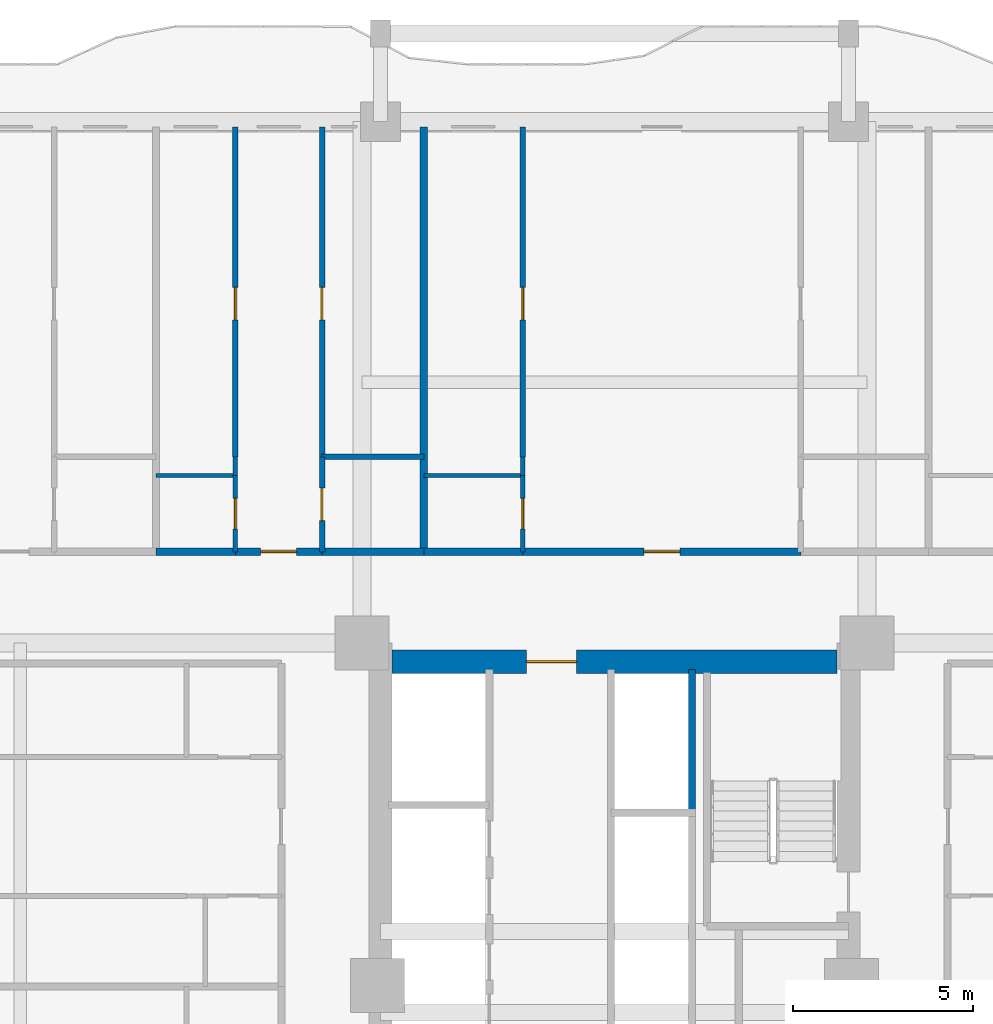
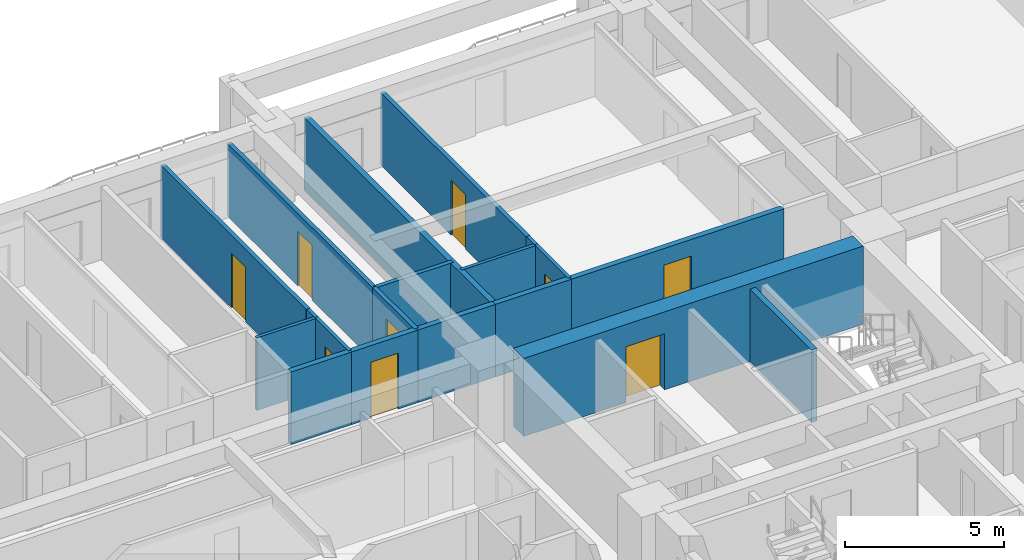
# One storey, part 18 of 27: 19 walls, 9 doors, 9 openings.
"""IFC4 building model written with IfcOpenShell, lengths in metres."""

from ifc_helpers import new_model, si_unit, direction, frame, frame_2d, origin, place, context, subcontext, project, spatial, rectangle, extrude, source, transform, mapped, material, layer, layer_set, type_object, element, fill, save


model = new_model("IFC4")

# Units and contexts
model_context = context("Model", 3, precision=1e-05, world=origin(), true_north=direction((0.0, 1.0)))
body_context = subcontext(model_context, "Body", "Model", "MODEL_VIEW")
ifc_project = project(units=[si_unit("LENGTHUNIT", "METRE"), si_unit("AREAUNIT", "SQUARE_METRE"), si_unit("VOLUMEUNIT", "CUBIC_METRE"), si_unit("PLANEANGLEUNIT", "RADIAN"), si_unit("MASSUNIT", "GRAM", prefix="KILO")], contexts=[model_context])

# Site, building, storey
site_placement = place(None, origin())
site = spatial("IfcSite", under=ifc_project, at=site_placement, CompositionType="ELEMENT")
building_placement = place(site_placement, origin())
building = spatial("IfcBuilding", under=site, at=building_placement, Name="Saelheon Loggia Tower", CompositionType="ELEMENT")
storey_placement = place(building_placement, frame((0.0, 0.0, 52.39990234375)))
storey = spatial("IfcBuildingStorey", under=building, at=storey_placement, Name="L16", CompositionType="ELEMENT", Elevation=52.39990234375)

# Wall, opening, door
ifc_material_1 = material(Name="Concrete C60/75", Category="concrete")
ifc_layer_1 = layer(ifc_material_1, 0.64990234375)
ifc_layer_set_1 = layer_set([ifc_layer_1], Name="Concrete C60/75")
wall_type_1 = type_object("IfcWallType", Name="Wall_CoreShear_650", PredefinedType="SHEAR", material=ifc_layer_set_1)
wall_1_placement = place(storey_placement, frame((31.824951171875, 36.0, 0.0), z_axis=(0.0, 0.0, 1.0), x_axis=(1.0, 0.0, 0.0)))
wall_1 = element("IfcWall", 1, at=wall_1_placement, inside=storey, type_object=wall_type_1, Name="L16 Core Shear Wall North", PredefinedType="SHEAR", context=body_context, shape_type="SweptSolid", body=[
    extrude(rectangle(XDim=12.35009765625, YDim=0.64990234375, at=frame_2d((6.175048828125, 0.0))), origin(), (0.0, 0.0, 1.0), 3.0),
])
opening_1_placement = place(wall_1_placement, frame((5.125, 0.0, 0.0), z_axis=(0.0, 0.0, 1.0), x_axis=(-1.0, 0.0, 0.0)))
opening_1 = element("IfcOpeningElement", 2, at=opening_1_placement, cuts=wall_1, Name="Opening D-FD2L", PredefinedType="OPENING", context=body_context, shape_type="SweptSolid", body=[
    extrude(rectangle(XDim=1.39990234375, YDim=2.14990234375, at=frame_2d((0.699951171875, 1.074951171875))), frame((0.0, 0.3369140625, 0.0), z_axis=(0.0, -1.0, 0.0), x_axis=(1.0, 0.0, 0.0)), (0.0, 0.0, 1.0), 0.673828125),
])
ifc_material_2 = material(Name="Galvanised Steel Glazed Lobby Fire Door", Category="steel")
door_type_1 = type_object("IfcDoorType", Name="Door_Fire_FD60_1400", OperationType="NOTDEFINED", PredefinedType="DOOR", material=ifc_material_2)
shared_shape_1 = source(origin(), body_context, "Body", "SweptSolid", [
    extrude(rectangle(XDim=1.39990234375, YDim=2.14990234375, at=frame_2d((0.699951171875, 1.074951171875))), frame((0.0, 0.02490234375, 0.0), z_axis=(0.0, -1.0, 0.0), x_axis=(1.0, 0.0, 0.0)), (0.0, 0.0, 1.0), 0.050048828125),
])
door_1_placement = place(opening_1_placement, origin())
door_1 = element("IfcDoor", 3, at=door_1_placement, inside=storey, type_object=door_type_1, Name="L16 Passenger Lift Lobby Main Door", OperationType="SINGLE_SWING_RIGHT", OverallHeight=2.14990234375, OverallWidth=1.39990234375, PredefinedType="DOOR", context=body_context, shape_type="MappedRepresentation", body=[
    mapped(shared_shape_1, transform((0.0, 0.0, 0.0), scale=1.0)),
])
fill(opening_1, door_1)

# Wall
ifc_material_3 = material(Name="Lightweight Autoclaved Aerated Concrete Block and Acoustic Gypsum", Category="concrete")
ifc_layer_2 = layer(ifc_material_3, 0.14990234375)
ifc_layer_set_2 = layer_set([ifc_layer_2], Name="Lightweight Autoclaved Aerated Concrete Block and Acoustic Gypsum")
wall_type_2 = type_object("IfcWallType", Name="Wall_Part_150", PredefinedType="PARTITIONING", material=ifc_layer_set_2)
wall_2_placement = place(storey_placement, frame((29.8759765625, 41.68994140625, 0.0), z_axis=(0.0, 0.0, 1.0), x_axis=(1.0, 0.0, 0.0)))
element("IfcWall", 4, at=wall_2_placement, inside=storey, type_object=wall_type_2, Name="L16 N Partition V20", PredefinedType="PARTITIONING", context=body_context, shape_type="SweptSolid", body=[
    extrude(rectangle(XDim=2.825439453125, YDim=0.14990234375, at=frame_2d((1.41259765625, 0.0))), origin(), (0.0, 0.0, 1.0), 2.7900390625),
])

# Wall, opening, door
wall_3_placement = place(storey_placement, frame((27.4658203125, 41.68994140625, 0.0), z_axis=(0.0, 0.0, 1.0), x_axis=(0.0, 1.0, 0.0)))
wall_3 = element("IfcWall", 5, at=wall_3_placement, inside=storey, type_object=wall_type_2, Name="L16 N Partition U23", PredefinedType="PARTITIONING", context=body_context, shape_type="SweptSolid", body=[
    extrude(rectangle(XDim=9.16015625, YDim=0.14990234375, at=frame_2d((4.580078125, 0.0))), origin(), (0.0, 0.0, 1.0), 2.7900390625),
])
opening_2_placement = place(wall_3_placement, frame((3.805908203125, 0.0, 0.0)))
opening_2 = element("IfcOpeningElement", 6, at=opening_2_placement, cuts=wall_3, Name="Opening D-IN2", PredefinedType="OPENING", context=body_context, shape_type="SweptSolid", body=[
    extrude(rectangle(XDim=0.89990234375, YDim=2.10009765625, at=frame_2d((0.449951171875, 1.050048828125))), frame((0.0, 0.0869140625, 0.0), z_axis=(0.0, -1.0, 0.0), x_axis=(1.0, 0.0, 0.0)), (0.0, 0.0, 1.0), 0.173828125),
])
ifc_material_4 = material(Name="Engineered Oak Flush Door", Category="timber")
door_type_2 = type_object("IfcDoorType", Name="Door_Int_900", OperationType="NOTDEFINED", PredefinedType="DOOR", material=ifc_material_4)
shared_shape_2 = source(origin(), body_context, "Body", "SweptSolid", [
    extrude(rectangle(XDim=0.89990234375, YDim=2.10009765625, at=frame_2d((0.449951171875, 1.050048828125))), frame((0.0, 0.02490234375, 0.0), z_axis=(0.0, -1.0, 0.0), x_axis=(1.0, 0.0, 0.0)), (0.0, 0.0, 1.0), 0.050048828125),
])
door_2_placement = place(opening_2_placement, origin())
door_2 = element("IfcDoor", 7, at=door_2_placement, inside=storey, type_object=door_type_2, Name="Unit U04 Kitchen Door", OperationType="SINGLE_SWING_LEFT", OverallHeight=2.10009765625, OverallWidth=0.89990234375, PredefinedType="DOOR", context=body_context, shape_type="MappedRepresentation", body=[
    mapped(shared_shape_2, transform((0.0, 0.0, 0.0), scale=1.0)),
])
fill(opening_2, door_2)

wall_4_placement = place(storey_placement, frame((29.8759765625, 39.050048828125, 0.0), z_axis=(0.0, 0.0, 1.0), x_axis=(0.0, 1.0, 0.0)))
wall_4 = element("IfcWall", 8, at=wall_4_placement, inside=storey, type_object=wall_type_2, Name="L16 N Partition U24", PredefinedType="PARTITIONING", context=body_context, shape_type="SweptSolid", body=[
    extrude(rectangle(XDim=2.639892578125, YDim=0.14990234375, at=frame_2d((1.31982421875, 0.0))), origin(), (0.0, 0.0, 1.0), 2.7900390625),
])
opening_3_placement = place(wall_4_placement, frame((0.8701171875, 0.0, 0.0)))
opening_3 = element("IfcOpeningElement", 9, at=opening_3_placement, cuts=wall_4, Name="Opening D-IN2", PredefinedType="OPENING", context=body_context, shape_type="SweptSolid", body=[
    extrude(rectangle(XDim=0.89990234375, YDim=2.10009765625, at=frame_2d((0.449951171875, 1.050048828125))), frame((0.0, 0.0869140625, 0.0), z_axis=(0.0, -1.0, 0.0), x_axis=(1.0, 0.0, 0.0)), (0.0, 0.0, 1.0), 0.173828125),
])
door_3_placement = place(opening_3_placement, origin())
door_3 = element("IfcDoor", 10, at=door_3_placement, inside=storey, type_object=door_type_2, Name="Unit U04 Dressing Closet Door", OperationType="SINGLE_SWING_RIGHT", OverallHeight=2.10009765625, OverallWidth=0.89990234375, PredefinedType="DOOR", context=body_context, shape_type="MappedRepresentation", body=[
    mapped(shared_shape_2, transform((0.0, 0.0, 0.0), scale=1.0)),
])
fill(opening_3, door_3)

wall_5_placement = place(storey_placement, frame((29.8759765625, 41.68994140625, 0.0), z_axis=(0.0, 0.0, 1.0), x_axis=(0.0, 1.0, 0.0)))
wall_5 = element("IfcWall", 11, at=wall_5_placement, inside=storey, type_object=wall_type_2, Name="L16 N Partition U25", PredefinedType="PARTITIONING", context=body_context, shape_type="SweptSolid", body=[
    extrude(rectangle(XDim=9.16015625, YDim=0.14990234375, at=frame_2d((4.580078125, 0.0))), origin(), (0.0, 0.0, 1.0), 2.7900390625),
])
opening_4_placement = place(wall_5_placement, frame((3.805908203125, 0.0, 0.0)))
opening_4 = element("IfcOpeningElement", 12, at=opening_4_placement, cuts=wall_5, Name="Opening D-IN2", PredefinedType="OPENING", context=body_context, shape_type="SweptSolid", body=[
    extrude(rectangle(XDim=0.89990234375, YDim=2.10009765625, at=frame_2d((0.449951171875, 1.050048828125))), frame((0.0, 0.0869140625, 0.0), z_axis=(0.0, -1.0, 0.0), x_axis=(1.0, 0.0, 0.0)), (0.0, 0.0, 1.0), 0.173828125),
])
door_4_placement = place(opening_4_placement, origin())
door_4 = element("IfcDoor", 13, at=door_4_placement, inside=storey, type_object=door_type_2, Name="Unit U04 Bedroom 1 Door", OperationType="SINGLE_SWING_LEFT", OverallHeight=2.10009765625, OverallWidth=0.89990234375, PredefinedType="DOOR", context=body_context, shape_type="MappedRepresentation", body=[
    mapped(shared_shape_2, transform((0.0, 0.0, 0.0), scale=1.0)),
])
fill(opening_4, door_4)

wall_6_placement = place(storey_placement, frame((35.451416015625, 41.68994140625, 0.0), z_axis=(0.0, 0.0, 1.0), x_axis=(0.0, 1.0, 0.0)))
wall_6 = element("IfcWall", 14, at=wall_6_placement, inside=storey, type_object=wall_type_2, Name="L16 N Partition U34", PredefinedType="PARTITIONING", context=body_context, shape_type="SweptSolid", body=[
    extrude(rectangle(XDim=9.16015625, YDim=0.14990234375, at=frame_2d((4.580078125, 0.0))), origin(), (0.0, 0.0, 1.0), 2.7900390625),
])
opening_5_placement = place(wall_6_placement, frame((3.805908203125, 0.0, 0.0)))
opening_5 = element("IfcOpeningElement", 15, at=opening_5_placement, cuts=wall_6, Name="Opening D-IN2", PredefinedType="OPENING", context=body_context, shape_type="SweptSolid", body=[
    extrude(rectangle(XDim=0.89990234375, YDim=2.10009765625, at=frame_2d((0.449951171875, 1.050048828125))), frame((0.0, 0.0869140625, 0.0), z_axis=(0.0, -1.0, 0.0), x_axis=(1.0, 0.0, 0.0)), (0.0, 0.0, 1.0), 0.173828125),
])
door_5_placement = place(opening_5_placement, origin())
door_5 = element("IfcDoor", 16, at=door_5_placement, inside=storey, type_object=door_type_2, Name="Unit U05 Kitchen Door", OperationType="SINGLE_SWING_RIGHT", OverallHeight=2.10009765625, OverallWidth=0.89990234375, PredefinedType="DOOR", context=body_context, shape_type="MappedRepresentation", body=[
    mapped(shared_shape_2, transform((0.0, 0.0, 0.0), scale=1.0)),
])
fill(opening_5, door_5)

# Wall
ifc_material_5 = material(Name="Double Acoustic Stud and Fireboard Partition", Category="gypsum")
ifc_layer_3 = layer(ifc_material_5, 0.199951171875)
ifc_layer_set_3 = layer_set([ifc_layer_3], Name="Double Acoustic Stud and Fireboard Partition")
wall_type_3 = type_object("IfcWallType", Name="Wall_Party_200", PredefinedType="PARTITIONING", material=ifc_layer_set_3)
wall_7_placement = place(storey_placement, frame((25.265869140625, 39.050048828125, 0.0), z_axis=(0.0, 0.0, 1.0), x_axis=(1.0, 0.0, 0.0)))
element("IfcWall", 17, at=wall_7_placement, inside=storey, type_object=wall_type_3, Name="L16 N Partition V16", PredefinedType="PARTITIONING", context=body_context, shape_type="SweptSolid", body=[
    extrude(rectangle(XDim=2.199951171875, YDim=0.199951171875, at=frame_2d((1.10009765625, 0.0))), origin(), (0.0, 0.0, 1.0), 2.7900390625),
])

# Wall, opening, door
wall_8_placement = place(storey_placement, frame((27.4658203125, 39.050048828125, 0.0), z_axis=(0.0, 0.0, 1.0), x_axis=(1.0, 0.0, 0.0)))
wall_8 = element("IfcWall", 18, at=wall_8_placement, inside=storey, type_object=wall_type_3, Name="L16 N Partition V17", PredefinedType="PARTITIONING", context=body_context, shape_type="SweptSolid", body=[
    extrude(rectangle(XDim=2.41015625, YDim=0.199951171875, at=frame_2d((1.205078125, 0.0))), origin(), (0.0, 0.0, 1.0), 2.7900390625),
])
opening_6_placement = place(wall_8_placement, frame((0.705078125, 0.0, 0.0)))
opening_6 = element("IfcOpeningElement", 19, at=opening_6_placement, cuts=wall_8, Name="Opening D-FD1", PredefinedType="OPENING", context=body_context, shape_type="SweptSolid", body=[
    extrude(rectangle(XDim=1.0, YDim=2.14990234375, at=frame_2d((0.5, 1.074951171875))), frame((0.0, 0.112060546875, 0.0), z_axis=(0.0, -1.0, 0.0), x_axis=(1.0, 0.0, 0.0)), (0.0, 0.0, 1.0), 0.223876953125),
])
ifc_material_6 = material(Name="Fire-Rated Engineered Timber Entrance Door", Category="wood")
door_type_3 = type_object("IfcDoorType", Name="Door_Flat_FD30S", OperationType="NOTDEFINED", PredefinedType="DOOR", material=ifc_material_6)
shared_shape_3 = source(origin(), body_context, "Body", "SweptSolid", [
    extrude(rectangle(XDim=1.0, YDim=2.14990234375, at=frame_2d((0.5, 1.074951171875))), frame((0.0, 0.02490234375, 0.0), z_axis=(0.0, -1.0, 0.0), x_axis=(1.0, 0.0, 0.0)), (0.0, 0.0, 1.0), 0.050048828125),
])
door_6_placement = place(opening_6_placement, origin())
door_6 = element("IfcDoor", 20, at=door_6_placement, inside=storey, type_object=door_type_3, Name="Unit U04 Entrance Door", OperationType="SINGLE_SWING_LEFT", OverallHeight=2.14990234375, OverallWidth=1.0, PredefinedType="DOOR", context=body_context, shape_type="MappedRepresentation", body=[
    mapped(shared_shape_3, transform((0.0, 0.0, 0.0), scale=1.0)),
])
fill(opening_6, door_6)

# Walls
wall_9_placement = place(storey_placement, frame((29.8759765625, 39.050048828125, 0.0), z_axis=(0.0, 0.0, 1.0), x_axis=(1.0, 0.0, 0.0)))
element("IfcWall", 21, at=wall_9_placement, inside=storey, type_object=wall_type_3, Name="L16 N Partition V18", PredefinedType="PARTITIONING", context=body_context, shape_type="SweptSolid", body=[
    extrude(rectangle(XDim=2.825439453125, YDim=0.199951171875, at=frame_2d((1.41259765625, 0.0))), origin(), (0.0, 0.0, 1.0), 2.7900390625),
])
wall_10_placement = place(storey_placement, frame((32.701416015625, 39.050048828125, 0.0), z_axis=(0.0, 0.0, 1.0), x_axis=(0.0, 1.0, 0.0)))
element("IfcWall", 22, at=wall_10_placement, inside=storey, type_object=wall_type_3, Name="L16 N Partition U26", PredefinedType="PARTITIONING", context=body_context, shape_type="SweptSolid", body=[
    extrude(rectangle(XDim=11.800048828125, YDim=0.199951171875, at=frame_2d((5.89990234375, 0.0))), origin(), (0.0, 0.0, 1.0), 2.7900390625),
])
wall_11_placement = place(storey_placement, frame((32.701416015625, 39.050048828125, 0.0), z_axis=(0.0, 0.0, 1.0), x_axis=(1.0, 0.0, 0.0)))
element("IfcWall", 23, at=wall_11_placement, inside=storey, type_object=wall_type_3, Name="L16 N Partition V27", PredefinedType="PARTITIONING", context=body_context, shape_type="SweptSolid", body=[
    extrude(rectangle(XDim=2.75, YDim=0.199951171875, at=frame_2d((1.375, 0.0))), origin(), (0.0, 0.0, 1.0), 2.7900390625),
])

# Wall, opening, door
wall_12_placement = place(storey_placement, frame((35.451416015625, 39.050048828125, 0.0), z_axis=(0.0, 0.0, 1.0), x_axis=(1.0, 0.0, 0.0)))
wall_12 = element("IfcWall", 24, at=wall_12_placement, inside=storey, type_object=wall_type_3, Name="L16 N Partition V28", PredefinedType="PARTITIONING", context=body_context, shape_type="SweptSolid", body=[
    extrude(rectangle(XDim=7.723876953125, YDim=0.199951171875, at=frame_2d((3.86181640625, 0.0))), origin(), (0.0, 0.0, 1.0), 2.7900390625),
])
opening_7_placement = place(wall_12_placement, frame((3.36181640625, 0.0, 0.0)))
opening_7 = element("IfcOpeningElement", 25, at=opening_7_placement, cuts=wall_12, Name="Opening D-FD1", PredefinedType="OPENING", context=body_context, shape_type="SweptSolid", body=[
    extrude(rectangle(XDim=1.0, YDim=2.14990234375, at=frame_2d((0.5, 1.074951171875))), frame((0.0, 0.112060546875, 0.0), z_axis=(0.0, -1.0, 0.0), x_axis=(1.0, 0.0, 0.0)), (0.0, 0.0, 1.0), 0.223876953125),
])
door_7_placement = place(opening_7_placement, origin())
door_7 = element("IfcDoor", 26, at=door_7_placement, inside=storey, type_object=door_type_3, Name="Unit U05 Entrance Door", OperationType="SINGLE_SWING_RIGHT", OverallHeight=2.14990234375, OverallWidth=1.0, PredefinedType="DOOR", context=body_context, shape_type="MappedRepresentation", body=[
    mapped(shared_shape_3, transform((0.0, 0.0, 0.0), scale=1.0)),
])
fill(opening_7, door_7)

# Walls
ifc_material_7 = material(Name="Concrete C40/50", Category="concrete")
ifc_layer_4 = layer(ifc_material_7, 0.199951171875)
ifc_layer_set_4 = layer_set([ifc_layer_4], Name="Concrete C40/50")
wall_type_4 = type_object("IfcWallType", Name="Wall_Shaft_200", PredefinedType="PARTITIONING", material=ifc_layer_set_4)
wall_13_placement = place(storey_placement, frame((40.14990234375, 31.800048828125, 0.0), z_axis=(0.0, 0.0, 1.0), x_axis=(0.0, 1.0, 0.0)))
element("IfcWall", 27, at=wall_13_placement, inside=storey, type_object=wall_type_4, Name="L16 East High-Rise Hoistway East Wall", PredefinedType="PARTITIONING", context=body_context, shape_type="SweptSolid", body=[
    extrude(rectangle(XDim=3.97998046875, YDim=0.199951171875, at=frame_2d((1.989990234375, 0.0))), origin(), (0.0, 0.0, 1.0), 2.7900390625),
])
ifc_material_8 = material(Name="Moisture-Resistant Cement Board Partition", Category="gypsum")
ifc_layer_5 = layer(ifc_material_8, 0.1201171875)
ifc_layer_set_5 = layer_set([ifc_layer_5], Name="Moisture-Resistant Cement Board Partition")
wall_type_5 = type_object("IfcWallType", Name="Wall_WetPart_120", PredefinedType="PARTITIONING", material=ifc_layer_set_5)
wall_14_placement = place(storey_placement, frame((25.265869140625, 41.169921875, 0.0), z_axis=(0.0, 0.0, 1.0), x_axis=(1.0, 0.0, 0.0)))
element("IfcWall", 28, at=wall_14_placement, inside=storey, type_object=wall_type_5, Name="L16 N Partition V19", PredefinedType="PARTITIONING", context=body_context, shape_type="SweptSolid", body=[
    extrude(rectangle(XDim=2.199951171875, YDim=0.1201171875, at=frame_2d((1.10009765625, 0.0))), origin(), (0.0, 0.0, 1.0), 2.7900390625),
])

# Wall, opening, door
wall_15_placement = place(storey_placement, frame((27.4658203125, 39.050048828125, 0.0), z_axis=(0.0, 0.0, 1.0), x_axis=(0.0, 1.0, 0.0)))
wall_15 = element("IfcWall", 29, at=wall_15_placement, inside=storey, type_object=wall_type_5, Name="L16 N Partition U21", PredefinedType="PARTITIONING", context=body_context, shape_type="SweptSolid", body=[
    extrude(rectangle(XDim=2.119873046875, YDim=0.1201171875, at=frame_2d((1.06005859375, 0.0))), origin(), (0.0, 0.0, 1.0), 2.7900390625),
])
opening_8_placement = place(wall_15_placement, frame((0.635009765625, 0.0, 0.0)))
opening_8 = element("IfcOpeningElement", 30, at=opening_8_placement, cuts=wall_15, Name="Opening D-BT1", PredefinedType="OPENING", context=body_context, shape_type="SweptSolid", body=[
    extrude(rectangle(XDim=0.85009765625, YDim=2.050048828125, at=frame_2d((0.425048828125, 1.02490234375))), frame((0.0, 0.072021484375, 0.0), z_axis=(0.0, -1.0, 0.0), x_axis=(1.0, 0.0, 0.0)), (0.0, 0.0, 1.0), 0.14404296875),
])
ifc_material_9 = material(Name="Moisture-Resistant Laminate Timber Door", Category="wood")
door_type_4 = type_object("IfcDoorType", Name="Door_Bath_850", OperationType="NOTDEFINED", PredefinedType="DOOR", material=ifc_material_9)
shared_shape_4 = source(origin(), body_context, "Body", "SweptSolid", [
    extrude(rectangle(XDim=0.85009765625, YDim=2.050048828125, at=frame_2d((0.425048828125, 1.02490234375))), frame((0.0, 0.02490234375, 0.0), z_axis=(0.0, -1.0, 0.0), x_axis=(1.0, 0.0, 0.0)), (0.0, 0.0, 1.0), 0.050048828125),
])
door_8_placement = place(opening_8_placement, origin())
door_8 = element("IfcDoor", 31, at=door_8_placement, inside=storey, type_object=door_type_4, Name="Unit U04 Bathroom Door", OperationType="SINGLE_SWING_RIGHT", OverallHeight=2.050048828125, OverallWidth=0.85009765625, PredefinedType="DOOR", context=body_context, shape_type="MappedRepresentation", body=[
    mapped(shared_shape_4, transform((0.0, 0.0, 0.0), scale=1.0)),
])
fill(opening_8, door_8)

# Walls
wall_16_placement = place(storey_placement, frame((27.4658203125, 41.169921875, 0.0), z_axis=(0.0, 0.0, 1.0), x_axis=(0.0, 1.0, 0.0)))
element("IfcWall", 32, at=wall_16_placement, inside=storey, type_object=wall_type_5, Name="L16 N Partition U22", PredefinedType="PARTITIONING", context=body_context, shape_type="SweptSolid", body=[
    extrude(rectangle(XDim=0.52001953125, YDim=0.1201171875, at=frame_2d((0.260009765625, 0.0))), origin(), (0.0, 0.0, 1.0), 2.7900390625),
])
wall_17_placement = place(storey_placement, frame((32.701416015625, 41.169921875, 0.0), z_axis=(0.0, 0.0, 1.0), x_axis=(1.0, 0.0, 0.0)))
element("IfcWall", 33, at=wall_17_placement, inside=storey, type_object=wall_type_5, Name="L16 N Partition V30", PredefinedType="PARTITIONING", context=body_context, shape_type="SweptSolid", body=[
    extrude(rectangle(XDim=2.75, YDim=0.1201171875, at=frame_2d((1.375, 0.0))), origin(), (0.0, 0.0, 1.0), 2.7900390625),
])

# Wall, opening, door
wall_18_placement = place(storey_placement, frame((35.451416015625, 39.050048828125, 0.0), z_axis=(0.0, 0.0, 1.0), x_axis=(0.0, 1.0, 0.0)))
wall_18 = element("IfcWall", 34, at=wall_18_placement, inside=storey, type_object=wall_type_5, Name="L16 N Partition U32", PredefinedType="PARTITIONING", context=body_context, shape_type="SweptSolid", body=[
    extrude(rectangle(XDim=2.119873046875, YDim=0.1201171875, at=frame_2d((1.06005859375, 0.0))), origin(), (0.0, 0.0, 1.0), 2.7900390625),
])
opening_9_placement = place(wall_18_placement, frame((0.635009765625, 0.0, 0.0)))
opening_9 = element("IfcOpeningElement", 35, at=opening_9_placement, cuts=wall_18, Name="Opening D-BT1", PredefinedType="OPENING", context=body_context, shape_type="SweptSolid", body=[
    extrude(rectangle(XDim=0.85009765625, YDim=2.050048828125, at=frame_2d((0.425048828125, 1.02490234375))), frame((0.0, 0.072021484375, 0.0), z_axis=(0.0, -1.0, 0.0), x_axis=(1.0, 0.0, 0.0)), (0.0, 0.0, 1.0), 0.14404296875),
])
door_9_placement = place(opening_9_placement, origin())
door_9 = element("IfcDoor", 36, at=door_9_placement, inside=storey, type_object=door_type_4, Name="Unit U05 Bathroom Door", OperationType="SINGLE_SWING_LEFT", OverallHeight=2.050048828125, OverallWidth=0.85009765625, PredefinedType="DOOR", context=body_context, shape_type="MappedRepresentation", body=[
    mapped(shared_shape_4, transform((0.0, 0.0, 0.0), scale=1.0)),
])
fill(opening_9, door_9)

# Wall
wall_19_placement = place(storey_placement, frame((35.451416015625, 41.169921875, 0.0), z_axis=(0.0, 0.0, 1.0), x_axis=(0.0, 1.0, 0.0)))
element("IfcWall", 37, at=wall_19_placement, inside=storey, type_object=wall_type_5, Name="L16 N Partition U33", PredefinedType="PARTITIONING", context=body_context, shape_type="SweptSolid", body=[
    extrude(rectangle(XDim=0.52001953125, YDim=0.1201171875, at=frame_2d((0.260009765625, 0.0))), origin(), (0.0, 0.0, 1.0), 2.7900390625),
])

save(model, "model.ifc")
